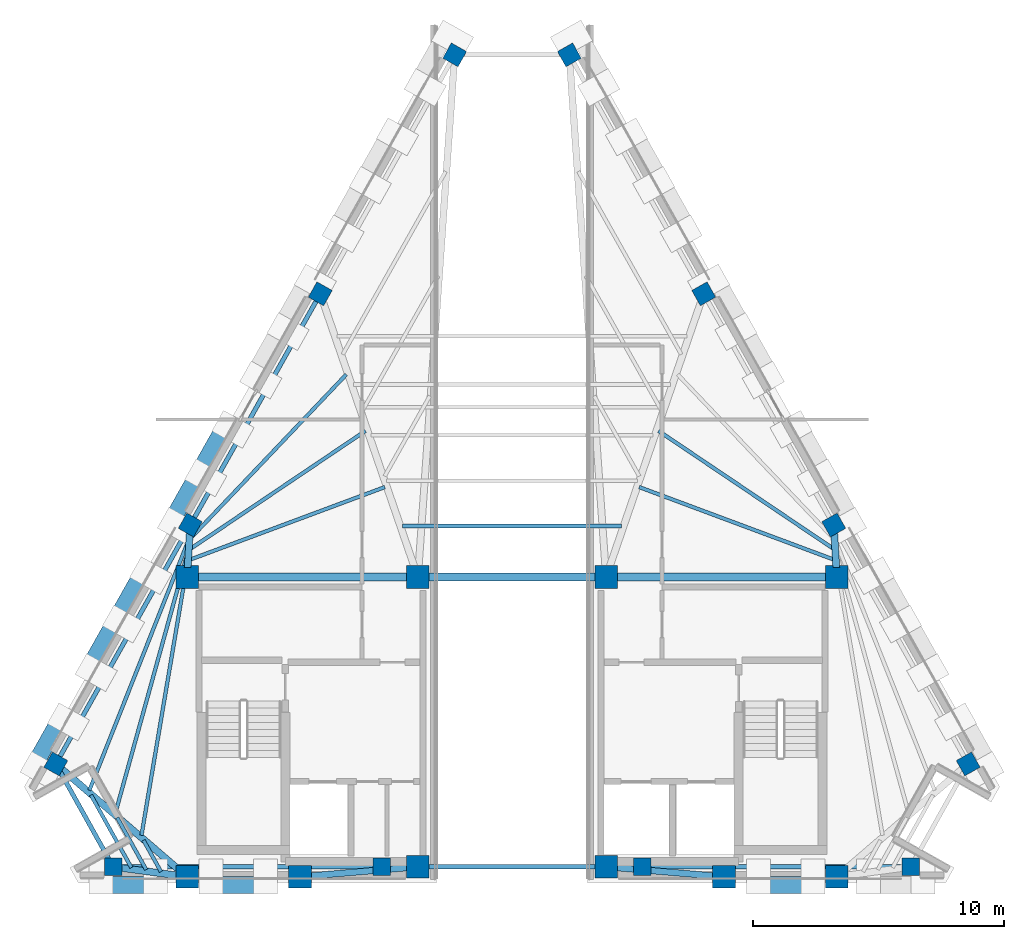
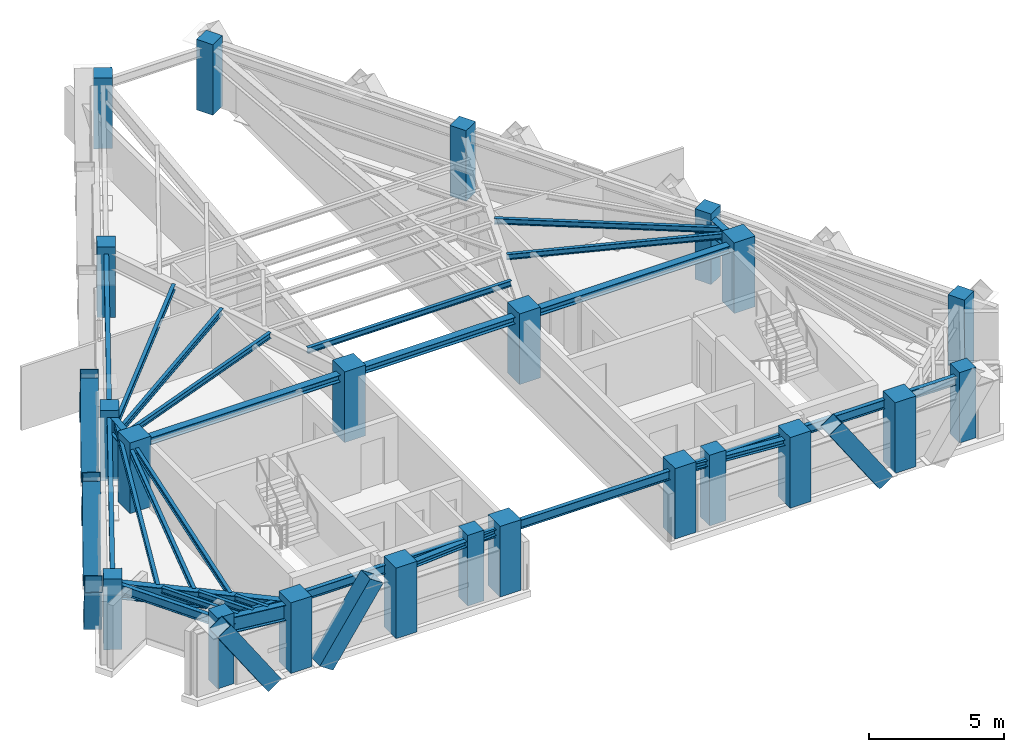
# One storey, part 1 of 6: 27 beams, 22 columns, 8 members.
"""IFC4 building model written with IfcOpenShell, lengths in metres."""

from ifc_helpers import new_model, si_unit, direction, frame, origin, origin_2d, place, context, subcontext, project, spatial, rectangle, hollow_rectangle, i_section, extrude, material, material_profile, profile_set, type_object, element, save


model = new_model("IFC4")

# Units and contexts
model_context = context("Model", 3, precision=1e-05, world=origin(), true_north=direction((0.0, 1.0)))
body_context = subcontext(model_context, "Body", "Model", "MODEL_VIEW")
ifc_project = project(units=[si_unit("LENGTHUNIT", "METRE"), si_unit("AREAUNIT", "SQUARE_METRE"), si_unit("VOLUMEUNIT", "CUBIC_METRE"), si_unit("PLANEANGLEUNIT", "RADIAN"), si_unit("MASSUNIT", "GRAM", prefix="KILO")], contexts=[model_context])

# Site, building, storey
site_placement = place(None, origin())
site = spatial("IfcSite", under=ifc_project, at=site_placement, CompositionType="ELEMENT")
building_placement = place(site_placement, origin())
building = spatial("IfcBuilding", under=site, at=building_placement, Name="Quenlor Broadcast Tower", CompositionType="ELEMENT")
storey_placement = place(building_placement, frame((0.0, 0.0, 277.300048828125)))
storey = spatial("IfcBuildingStorey", under=building, at=storey_placement, Name="L77", CompositionType="ELEMENT", Elevation=277.300048828125)

# Columns
ifc_material_1 = material(Name="Concrete C50/60", Category="concrete")
ifc_material_profile_1 = material_profile(ifc_material_1, rectangle(XDim=0.89990234375, YDim=0.89990234375, at=origin_2d()))
ifc_profile_set_1 = profile_set([ifc_material_profile_1], Name="Concrete C50/60 RC900x900")
column_type_1 = type_object("IfcColumnType", Name="Core Corner Column Upper Concrete C50/60 900", PredefinedType="COLUMN", material=ifc_profile_set_1)
for number, where, z_axis, x_axis, name in (
    (1, (-12.949951171875, -16.75, 0.0), (0.0, 0.0, 1.0), (1.0, 0.0, 0.0), "L77 Core Column CC1"),
    (2, (-8.449951171875, -16.75, 0.0), (0.0, 0.0, 1.0), (1.0, 0.0, 0.0), "L77 Core Column CC2"),
    (3, (-3.75, -16.35009765625, 0.0), (0.0, 0.0, 1.0), (1.0, 0.0, 0.0), "L77 Core Column CC3"),
    (4, (3.75, -16.35009765625, 0.0), (0.0, 0.0, 1.0), (1.0, 0.0, 0.0), "L77 Core Column CC4"),
    (5, (8.449951171875, -16.75, 0.0), (0.0, 0.0, 1.0), (1.0, 0.0, 0.0), "L77 Core Column CC5"),
    (6, (12.949951171875, -16.75, 0.0), (0.0, 0.0, 1.0), (1.0, 0.0, 0.0), "L77 Core Column CC6"),
    (7, (-12.949951171875, -4.800048828125, 0.0), (0.0, 0.0, 1.0), (1.0, 0.0, 0.0), "L77 Core Column CC7"),
    (8, (-3.75, -4.800048828125, 0.0), (0.0, 0.0, 1.0), (1.0, 0.0, 0.0), "L77 Core Column CC8"),
    (9, (3.75, -4.800048828125, 0.0), (0.0, 0.0, 1.0), (1.0, 0.0, 0.0), "L77 Core Column CC9"),
    (10, (12.949951171875, -4.800048828125, 0.0), (0.0, 0.0, 1.0), (1.0, 0.0, 0.0), "L77 Core Column CC10"),
):
    element("IfcColumn", number, at=place(storey_placement, frame(where, z_axis=z_axis, x_axis=x_axis)), inside=storey, type_object=column_type_1, Name=name, PredefinedType="COLUMN", context=body_context, shape_type="SweptSolid", body=[
        extrude(rectangle(XDim=0.89990234375, YDim=0.89990234375, at=origin_2d()), origin(), (0.0, 0.0, 1.0), 3.199951171875),
    ])
ifc_material_2 = material(Name="Concrete C40/50", Category="concrete")
ifc_material_profile_2 = material_profile(ifc_material_2, rectangle(XDim=0.699951171875, YDim=0.699951171875, at=origin_2d()))
ifc_profile_set_2 = profile_set([ifc_material_profile_2], Name="Concrete C40/50 RC700x700")
column_type_2 = type_object("IfcColumnType", Name="Crown Frame Column Concrete C40/50 700", PredefinedType="COLUMN", material=ifc_profile_set_2)
for number, where, z_axis, x_axis, name in (
    (11, (-15.897705078125, -16.35009765625, 0.0), (0.0, 0.0, 1.0), (0.0, 1.0, 0.0), "L77 Perimeter Column S1"),
    (12, (-5.18408203125, -16.35009765625, 0.0), (0.0, 0.0, 1.0), (0.0, 1.0, 0.0), "L77 Perimeter Column S2"),
    (13, (5.18408203125, -16.35009765625, 0.0), (0.0, 0.0, 1.0), (0.0, 1.0, 0.0), "L77 Perimeter Column S3"),
    (14, (15.897705078125, -16.35009765625, 0.0), (0.0, 0.0, 1.0), (0.0, 1.0, 0.0), "L77 Perimeter Column S4"),
    (15, (18.182373046875, -12.25, 0.0), (0.0, 0.0, 1.0), (0.871575139605, 0.490261946333, 0.0), "L77 Perimeter Column NE1"),
    (16, (12.825439453125, -2.726806640625, 0.0), (0.0, 0.0, 1.0), (0.871575139605, 0.490261946333, 0.0), "L77 Perimeter Column NE2"),
    (17, (7.6416015625, 6.4892578125, 0.0), (0.0, 0.0, 1.0), (0.871575139605, 0.490261946333, 0.0), "L77 Perimeter Column NE3"),
    (18, (2.28466796875, 16.012451171875, 0.0), (0.0, 0.0, 1.0), (0.871575139605, 0.490261946333, 0.0), "L77 Perimeter Column NE4"),
    (19, (-2.28466796875, 16.012451171875, 0.0), (0.0, 0.0, 1.0), (-0.871575139605, 0.490261946333, 0.0), "L77 Perimeter Column NW1"),
    (20, (-7.6416015625, 6.4892578125, 0.0), (0.0, 0.0, 1.0), (-0.871575139605, 0.490261946333, 0.0), "L77 Perimeter Column NW2"),
    (21, (-12.825439453125, -2.726806640625, 0.0), (0.0, 0.0, 1.0), (-0.871575139605, 0.490261946333, 0.0), "L77 Perimeter Column NW3"),
    (22, (-18.182373046875, -12.25, 0.0), (0.0, 0.0, 1.0), (-0.871575139605, 0.490261946333, 0.0), "L77 Perimeter Column NW4"),
):
    element("IfcColumn", number, at=place(storey_placement, frame(where, z_axis=z_axis, x_axis=x_axis)), inside=storey, type_object=column_type_2, Name=name, PredefinedType="COLUMN", context=body_context, shape_type="SweptSolid", body=[
        extrude(rectangle(XDim=0.699951171875, YDim=0.699951171875, at=origin_2d()), origin(), (0.0, 0.0, 1.0), 3.199951171875),
    ])

# Beams
ifc_material_3 = material(Name="Steel S355", Category="steel")
ifc_material_profile_3 = material_profile(ifc_material_3, i_section(OverallWidth=0.304931640625, OverallDepth=0.30810546875, WebThickness=0.010009765625, FlangeThickness=0.015380859375, FilletRadius=0.0166015625, at=origin_2d()))
ifc_profile_set_3 = profile_set([ifc_material_profile_3], Name="Steel S355 310UC96.8")
beam_type_1 = type_object("IfcBeamType", Name="Core Header Beam Steel S355 310UC96.8", PredefinedType="BEAM", material=ifc_profile_set_3)
beam_1_placement = place(storey_placement, frame((-3.389892578125, -4.800048828125, 2.725830078125), z_axis=(1.0, 0.0, 0.0), x_axis=(0.0, 1.0, 0.0)))
element("IfcBeam", 23, at=beam_1_placement, inside=storey, type_object=beam_type_1, Name="L77 Core Header Beam 2", PredefinedType="BEAM", context=body_context, shape_type="SweptSolid", body=[
    extrude(i_section(OverallWidth=0.304931640625, OverallDepth=0.30810546875, WebThickness=0.010009765625, FlangeThickness=0.015380859375, FilletRadius=0.0166015625, at=origin_2d()), origin(), (0.0, 0.0, 1.0), 6.77978515625),
])
ifc_material_4 = material(Name="Steel S355", Category="steel")
ifc_material_profile_4 = material_profile(ifc_material_4, i_section(OverallWidth=0.25390625, OverallDepth=0.25390625, WebThickness=0.008544921875, FlangeThickness=0.01416015625, FilletRadius=0.013916015625, at=origin_2d()))
ifc_profile_set_4 = profile_set([ifc_material_profile_4], Name="Steel S355 250UC72.9")
beam_type_2 = type_object("IfcBeamType", Name="Core Opening Lintel Beam Steel S355 250UC72.9", PredefinedType="LINTEL", material=ifc_profile_set_4)
for number, where, z_axis, x_axis, name in (
    (24, (-8.09130859375, -16.719482421875, 2.7529296875), (0.996399763903, 0.084779186679, 0.0), (-0.084779186679, 0.996399763903, 0.0), "L77 Core Opening Lintel Beam 4"),
    (25, (4.108642578125, -16.380615234375, 2.7529296875), (0.996399763903, -0.084779186679, 0.0), (0.084779186679, 0.996399763903, 0.0), "L77 Core Opening Lintel Beam 5"),
):
    element("IfcBeam", number, at=place(storey_placement, frame(where, z_axis=z_axis, x_axis=x_axis)), inside=storey, type_object=beam_type_2, Name=name, PredefinedType="LINTEL", context=body_context, shape_type="SweptSolid", body=[
        extrude(i_section(OverallWidth=0.25390625, OverallDepth=0.25390625, WebThickness=0.008544921875, FlangeThickness=0.01416015625, FilletRadius=0.013916015625, at=origin_2d()), origin(), (0.0, 0.0, 1.0), 3.9970703125),
    ])
ifc_material_5 = material(Name="Steel S355", Category="steel")
ifc_material_profile_5 = material_profile(ifc_material_5, i_section(OverallWidth=0.306884765625, OverallDepth=0.314697265625, WebThickness=0.011962890625, FlangeThickness=0.018798828125, FilletRadius=0.0166015625, at=origin_2d()))
ifc_profile_set_5 = profile_set([ifc_material_profile_5], Name="Steel S355 310UC118")
beam_type_3 = type_object("IfcBeamType", Name="Core Tie Beam Steel S355 310UC118", PredefinedType="BEAM", material=ifc_profile_set_5)
for number, where, z_axis, x_axis, name in (
    (26, (-12.590087890625, -4.800048828125, 2.72265625), (1.0, 0.0, 0.0), (0.0, 1.0, 0.0), "L77 Core Tie Beam 1"),
    (27, (4.110107421875, -4.800048828125, 2.72265625), (1.0, 0.0, 0.0), (0.0, 1.0, 0.0), "L77 Core Tie Beam 3"),
):
    element("IfcBeam", number, at=place(storey_placement, frame(where, z_axis=z_axis, x_axis=x_axis)), inside=storey, type_object=beam_type_3, Name=name, PredefinedType="BEAM", context=body_context, shape_type="SweptSolid", body=[
        extrude(i_section(OverallWidth=0.306884765625, OverallDepth=0.314697265625, WebThickness=0.011962890625, FlangeThickness=0.018798828125, FilletRadius=0.0166015625, at=origin_2d()), origin(), (0.0, 0.0, 1.0), 8.47998046875),
    ])
ifc_material_6 = material(Name="Steel S355", Category="steel")
ifc_material_profile_6 = material_profile(ifc_material_6, i_section(OverallWidth=0.14599609375, OverallDepth=0.256103515625, WebThickness=0.00634765625, FlangeThickness=0.010986328125, FilletRadius=0.0087890625, at=origin_2d()))
ifc_profile_set_6 = profile_set([ifc_material_profile_6], Name="Steel S355 250UB37.3")
beam_type_4 = type_object("IfcBeamType", Name="Crown Deck Joist Steel S355 250UB37.3", PredefinedType="JOIST", material=ifc_profile_set_6)
beam_2_placement = place(storey_placement, frame((-4.37060546875, -2.767822265625, 2.751953125), z_axis=(1.0, 0.0, 0.0), x_axis=(0.0, 1.0, 0.0)))
element("IfcBeam", 28, at=beam_2_placement, inside=storey, type_object=beam_type_4, Name="L77 Secondary Composite Joist 1", PredefinedType="JOIST", context=body_context, shape_type="SweptSolid", body=[
    extrude(i_section(OverallWidth=0.14599609375, OverallDepth=0.256103515625, WebThickness=0.00634765625, FlangeThickness=0.010986328125, FilletRadius=0.0087890625, at=origin_2d()), origin(), (0.0, 0.0, 1.0), 8.7412109375),
])
beam_3_placement = place(storey_placement, frame((-12.835205078125, -4.108642578125, 2.751953125), z_axis=(0.937062080226, 0.349162795559, 0.0), x_axis=(-0.349162795559, 0.937062080226, 0.0)))
element("IfcBeam", 29, at=beam_3_placement, inside=storey, type_object=beam_type_4, Name="L77 Secondary Composite Joist 7", PredefinedType="JOIST", context=body_context, shape_type="SweptSolid", body=[
    extrude(i_section(OverallWidth=0.14599609375, OverallDepth=0.256103515625, WebThickness=0.00634765625, FlangeThickness=0.010986328125, FilletRadius=0.0087890625, at=origin_2d()), origin(), (0.0, 0.0, 1.0), 8.286376953125),
])
beam_4_placement = place(storey_placement, frame((-12.81884765625, -3.67724609375, 2.751953125), z_axis=(0.829286301475, 0.558823970661, 0.0), x_axis=(-0.558823970661, 0.829286301475, 0.0)))
element("IfcBeam", 30, at=beam_4_placement, inside=storey, type_object=beam_type_4, Name="L77 Secondary Composite Joist 8", PredefinedType="JOIST", context=body_context, shape_type="SweptSolid", body=[
    extrude(i_section(OverallWidth=0.14599609375, OverallDepth=0.256103515625, WebThickness=0.00634765625, FlangeThickness=0.010986328125, FilletRadius=0.0087890625, at=origin_2d()), origin(), (0.0, 0.0, 1.0), 8.415771484375),
])
beam_5_placement = place(storey_placement, frame((-12.80517578125, -3.249267578125, 2.751953125), z_axis=(0.689023306429, 0.724739182877, 0.0), x_axis=(-0.724739182877, 0.689023306429, 0.0)))
element("IfcBeam", 31, at=beam_5_placement, inside=storey, type_object=beam_type_4, Name="L77 Secondary Composite Joist 9", PredefinedType="JOIST", context=body_context, shape_type="SweptSolid", body=[
    extrude(i_section(OverallWidth=0.14599609375, OverallDepth=0.256103515625, WebThickness=0.00634765625, FlangeThickness=0.010986328125, FilletRadius=0.0087890625, at=origin_2d()), origin(), (0.0, 0.0, 1.0), 8.99560546875),
])
beam_6_placement = place(storey_placement, frame((12.835205078125, -4.108642578125, 2.751953125), z_axis=(-0.937062080226, 0.349162795559, 0.0), x_axis=(-0.349162795559, -0.937062080226, 0.0)))
element("IfcBeam", 32, at=beam_6_placement, inside=storey, type_object=beam_type_4, Name="L77 Secondary Composite Joist 10", PredefinedType="JOIST", context=body_context, shape_type="SweptSolid", body=[
    extrude(i_section(OverallWidth=0.14599609375, OverallDepth=0.256103515625, WebThickness=0.00634765625, FlangeThickness=0.010986328125, FilletRadius=0.0087890625, at=origin_2d()), origin(), (0.0, 0.0, 1.0), 8.286376953125),
])
beam_7_placement = place(storey_placement, frame((12.81884765625, -3.67724609375, 2.751953125), z_axis=(-0.829286301475, 0.558823970661, 0.0), x_axis=(-0.558823970661, -0.829286301475, 0.0)))
element("IfcBeam", 33, at=beam_7_placement, inside=storey, type_object=beam_type_4, Name="L77 Secondary Composite Joist 11", PredefinedType="JOIST", context=body_context, shape_type="SweptSolid", body=[
    extrude(i_section(OverallWidth=0.14599609375, OverallDepth=0.256103515625, WebThickness=0.00634765625, FlangeThickness=0.010986328125, FilletRadius=0.0087890625, at=origin_2d()), origin(), (0.0, 0.0, 1.0), 8.415771484375),
])
beam_8_placement = place(storey_placement, frame((-14.76806640625, -15.09619140625, 2.751953125), z_axis=(0.166553293246, 0.986032454085, 0.0), x_axis=(-0.986032454085, 0.166553293246, 0.0)))
element("IfcBeam", 34, at=beam_8_placement, inside=storey, type_object=beam_type_4, Name="L77 Secondary Composite Joist 13", PredefinedType="JOIST", context=body_context, shape_type="SweptSolid", body=[
    extrude(i_section(OverallWidth=0.14599609375, OverallDepth=0.256103515625, WebThickness=0.00634765625, FlangeThickness=0.010986328125, FilletRadius=0.0087890625, at=origin_2d()), origin(), (0.0, 0.0, 1.0), 11.097900390625),
])
beam_9_placement = place(storey_placement, frame((-15.806396484375, -14.197998046875, 2.751953125), z_axis=(0.26744552871, 0.96357298072, 0.0), x_axis=(-0.96357298072, 0.26744552871, 0.0)))
element("IfcBeam", 35, at=beam_9_placement, inside=storey, type_object=beam_type_4, Name="L77 Secondary Composite Joist 14", PredefinedType="JOIST", context=body_context, shape_type="SweptSolid", body=[
    extrude(i_section(OverallWidth=0.14599609375, OverallDepth=0.256103515625, WebThickness=0.00634765625, FlangeThickness=0.010986328125, FilletRadius=0.0087890625, at=origin_2d()), origin(), (0.0, 0.0, 1.0), 10.856689453125),
])
beam_10_placement = place(storey_placement, frame((-16.8447265625, -13.300537109375, 2.751953125), z_axis=(0.368680258049, 0.929556274426, 0.0), x_axis=(-0.929556274426, 0.368680258049, 0.0)))
element("IfcBeam", 36, at=beam_10_placement, inside=storey, type_object=beam_type_4, Name="L77 Secondary Composite Joist 15", PredefinedType="JOIST", context=body_context, shape_type="SweptSolid", body=[
    extrude(i_section(OverallWidth=0.14599609375, OverallDepth=0.256103515625, WebThickness=0.00634765625, FlangeThickness=0.010986328125, FilletRadius=0.0087890625, at=origin_2d()), origin(), (0.0, 0.0, 1.0), 10.737548828125),
])
beam_11_placement = place(storey_placement, frame((-13.9912109375, -16.544189453125, 2.751953125), z_axis=(-0.486624304452, 0.873611347406, 0.0), x_axis=(-0.873611347406, -0.486624304452, 0.0)))
element("IfcBeam", 37, at=beam_11_placement, inside=storey, type_object=beam_type_4, Name="L77 Secondary Composite Joist 19", PredefinedType="JOIST", context=body_context, shape_type="SweptSolid", body=[
    extrude(i_section(OverallWidth=0.14599609375, OverallDepth=0.256103515625, WebThickness=0.00634765625, FlangeThickness=0.010986328125, FilletRadius=0.0087890625, at=origin_2d()), origin(), (0.0, 0.0, 1.0), 1.435791015625),
])
beam_12_placement = place(storey_placement, frame((-14.58056640625, -16.464111328125, 2.751953125), z_axis=(-0.486820963037, 0.873501774439, 0.0), x_axis=(-0.873501774439, -0.486820963037, 0.0)))
element("IfcBeam", 38, at=beam_12_placement, inside=storey, type_object=beam_type_4, Name="L77 Secondary Composite Joist 20", PredefinedType="JOIST", context=body_context, shape_type="SweptSolid", body=[
    extrude(i_section(OverallWidth=0.14599609375, OverallDepth=0.256103515625, WebThickness=0.00634765625, FlangeThickness=0.010986328125, FilletRadius=0.0087890625, at=origin_2d()), origin(), (0.0, 0.0, 1.0), 2.37451171875),
])
beam_13_placement = place(storey_placement, frame((-15.170166015625, -16.384033203125, 2.751953125), z_axis=(-0.486762404011, 0.873534408046, 0.0), x_axis=(-0.873534408046, -0.486762404011, 0.0)))
element("IfcBeam", 39, at=beam_13_placement, inside=storey, type_object=beam_type_4, Name="L77 Secondary Composite Joist 21", PredefinedType="JOIST", context=body_context, shape_type="SweptSolid", body=[
    extrude(i_section(OverallWidth=0.14599609375, OverallDepth=0.256103515625, WebThickness=0.00634765625, FlangeThickness=0.010986328125, FilletRadius=0.0087890625, at=origin_2d()), origin(), (0.0, 0.0, 1.0), 3.313232421875),
])
ifc_material_7 = material(Name="Steel S355", Category="steel")
ifc_material_profile_7 = material_profile(ifc_material_7, i_section(OverallWidth=0.27490234375, OverallDepth=0.716064453125, WebThickness=0.013916015625, FlangeThickness=0.02490234375, FilletRadius=0.013916015625, at=origin_2d()))
ifc_profile_set_7 = profile_set([ifc_material_profile_7], Name="Steel S355 700WB173")
beam_type_5 = type_object("IfcBeamType", Name="Crown Plant Ring Girder Steel S355 700WB173", PredefinedType="BEAM", material=ifc_profile_set_7)
beam_14_placement = place(storey_placement, frame((-15.59033203125, -16.3916015625, 2.52197265625), z_axis=(0.990908681621, -0.134536183561, 0.0), x_axis=(0.134536183561, 0.990908681621, 0.0)))
element("IfcBeam", 40, at=beam_14_placement, inside=storey, type_object=beam_type_5, Name="L77 Primary Radial Beam S1", PredefinedType="BEAM", context=body_context, shape_type="SweptSolid", body=[
    extrude(i_section(OverallWidth=0.27490234375, OverallDepth=0.716064453125, WebThickness=0.013916015625, FlangeThickness=0.02490234375, FilletRadius=0.013916015625, at=origin_2d()), origin(), (0.0, 0.0, 1.0), 2.28466796875),
])
for number, where, z_axis, x_axis, name in (
    (41, (12.843994140625, -3.0361328125, 2.52197265625), (0.060022076178, -0.998197049871, 0.0), (0.998197049871, 0.060022076178, 0.0), "L77 Primary Radial Beam NE2"),
    (42, (-12.843994140625, -3.0361328125, 2.52197265625), (-0.060022076178, -0.998197049871, 0.0), (0.998197049871, -0.060022076178, 0.0), "L77 Primary Radial Beam NW3"),
):
    element("IfcBeam", number, at=place(storey_placement, frame(where, z_axis=z_axis, x_axis=x_axis)), inside=storey, type_object=beam_type_5, Name=name, PredefinedType="BEAM", context=body_context, shape_type="SweptSolid", body=[
        extrude(i_section(OverallWidth=0.27490234375, OverallDepth=0.716064453125, WebThickness=0.013916015625, FlangeThickness=0.02490234375, FilletRadius=0.013916015625, at=origin_2d()), origin(), (0.0, 0.0, 1.0), 1.386962890625),
    ])
beam_15_placement = place(storey_placement, frame((-17.947265625, -12.451904296875, 2.52197265625), z_axis=(0.758156826123, -0.652072255968, 0.0), x_axis=(0.652072255968, 0.758156826123, 0.0)))
element("IfcBeam", 43, at=beam_15_placement, inside=storey, type_object=beam_type_5, Name="L77 Primary Radial Beam NW4", PredefinedType="BEAM", context=body_context, shape_type="SweptSolid", body=[
    extrude(i_section(OverallWidth=0.27490234375, OverallDepth=0.716064453125, WebThickness=0.013916015625, FlangeThickness=0.02490234375, FilletRadius=0.013916015625, at=origin_2d()), origin(), (0.0, 0.0, 1.0), 6.21142578125),
])

# Members
ifc_material_8 = material(Name="Steel S355", Category="steel")
ifc_material_profile_8 = material_profile(ifc_material_8, hollow_rectangle(XDim=0.679931640625, YDim=0.679931640625, WallThickness=0.02001953125, at=origin_2d()))
ifc_profile_set_8 = profile_set([ifc_material_profile_8], Name="Steel S355 RHS680x680x20")
member_type = type_object("IfcMemberType", Name="Perimeter Diagonal Lattice Brace Z5-Crown Steel S355 RHS680x20", PredefinedType="BRACE", material=ifc_profile_set_8)
member_1_placement = place(storey_placement, frame((11.998779296875, -17.070068359375, -0.1201171875), z_axis=(-0.559071894658, 0.0, 0.829119181182), x_axis=(0.0, -1.0, 0.0)))
element("IfcMember", 44, at=member_1_placement, inside=storey, type_object=member_type, Name="L77 Perimeter Diamond Lattice S-C1S", PredefinedType="BRACE", context=body_context, shape_type="SweptSolid", body=[
    extrude(hollow_rectangle(XDim=0.679931640625, YDim=0.679931640625, WallThickness=0.02001953125, at=origin_2d()), origin(), (0.0, 0.0, 1.0), 3.859375),
])
member_2_placement = place(storey_placement, frame((-14.208984375, -17.070068359375, -0.1201171875), z_axis=(-0.559115378164, 0.0, 0.829089858761), x_axis=(0.0, -1.0, 0.0)))
element("IfcMember", 45, at=member_2_placement, inside=storey, type_object=member_type, Name="L77 Perimeter Diamond Lattice S-C5S", PredefinedType="BRACE", context=body_context, shape_type="SweptSolid", body=[
    extrude(hollow_rectangle(XDim=0.679931640625, YDim=0.679931640625, WallThickness=0.02001953125, at=origin_2d()), origin(), (0.0, 0.0, 1.0), 3.859619140625),
])
member_3_placement = place(storey_placement, frame((-11.998779296875, -17.070068359375, -0.1201171875), z_axis=(0.559071894658, 0.0, 0.829119181182), x_axis=(0.0, 1.0, 0.0)))
element("IfcMember", 46, at=member_3_placement, inside=storey, type_object=member_type, Name="L77 Perimeter Diamond Lattice S-C5B", PredefinedType="BRACE", context=body_context, shape_type="SweptSolid", body=[
    extrude(hollow_rectangle(XDim=0.679931640625, YDim=0.679931640625, WallThickness=0.02001953125, at=origin_2d()), origin(), (0.0, 0.0, 1.0), 3.859375),
])
member_4_placement = place(storey_placement, frame((-16.86669921875, -8.442626953125, -0.1201171875), z_axis=(0.277962400982, 0.494211241538, 0.823706350818), x_axis=(-0.871599215793, 0.490219141843, 0.0)))
element("IfcMember", 47, at=member_4_placement, inside=storey, type_object=member_type, Name="L77 Perimeter Diamond Lattice NW-C1S", PredefinedType="BRACE", context=body_context, shape_type="SweptSolid", body=[
    extrude(hollow_rectangle(XDim=0.679931640625, YDim=0.679931640625, WallThickness=0.02001953125, at=origin_2d()), origin(), (0.0, 0.0, 1.0), 3.884765625),
])
for number, where, z_axis, x_axis, name in (
    (48, (-17.97314453125, -10.409423828125, -0.1201171875), (-0.278011753881, -0.494250100424, 0.823666378417), (0.871578496623, -0.490255978266, 0.0), "L77 Perimeter Diamond Lattice NW-C1B"),
    (49, (-13.58740234375, -2.612548828125, -0.1201171875), (0.278011753881, 0.494250100424, 0.823666378417), (-0.871578496623, 0.490255978266, 0.0), "L77 Perimeter Diamond Lattice NW-C2S"),
    (50, (-14.693603515625, -4.5791015625, -0.1201171875), (-0.278011753881, -0.494250100424, 0.823666378417), (0.871578496623, -0.490255978266, 0.0), "L77 Perimeter Diamond Lattice NW-C2B"),
    (51, (-11.4140625, 1.2509765625, -0.1201171875), (-0.278011753881, -0.494250100424, 0.823666378417), (0.871578496623, -0.490255978266, 0.0), "L77 Perimeter Diamond Lattice NW-C3B"),
):
    element("IfcMember", number, at=place(storey_placement, frame(where, z_axis=z_axis, x_axis=x_axis)), inside=storey, type_object=member_type, Name=name, PredefinedType="BRACE", context=body_context, shape_type="SweptSolid", body=[
        extrude(hollow_rectangle(XDim=0.679931640625, YDim=0.679931640625, WallThickness=0.02001953125, at=origin_2d()), origin(), (0.0, 0.0, 1.0), 3.885009765625),
    ])

# Beams
ifc_material_9 = material(Name="Steel S355", Category="steel")
ifc_material_profile_9 = material_profile(ifc_material_9, i_section(OverallWidth=0.177978515625, OverallDepth=0.406494140625, WebThickness=0.0078125, FlangeThickness=0.0126953125, FilletRadius=0.011474609375, at=origin_2d()))
ifc_profile_set_9 = profile_set([ifc_material_profile_9], Name="Steel S355 410UB59.7")
beam_type_6 = type_object("IfcBeamType", Name="Perimeter Spandrel Beam Z5 Steel S355 410UB59.7", PredefinedType="SPANDREL", material=ifc_profile_set_9)
beam_16_placement = place(storey_placement, frame((-15.587646484375, -16.35009765625, 2.6767578125), z_axis=(1.0, 0.0, 0.0), x_axis=(0.0, 1.0, 0.0)))
element("IfcBeam", 52, at=beam_16_placement, inside=storey, type_object=beam_type_6, Name="L77 Spandrel Beam S1-S2", PredefinedType="SPANDREL", context=body_context, shape_type="SweptSolid", body=[
    extrude(i_section(OverallWidth=0.177978515625, OverallDepth=0.406494140625, WebThickness=0.0078125, FlangeThickness=0.0126953125, FilletRadius=0.011474609375, at=origin_2d()), origin(), (0.0, 0.0, 1.0), 10.09375),
])
beam_17_placement = place(storey_placement, frame((-4.8740234375, -16.35009765625, 2.6767578125), z_axis=(1.0, 0.0, 0.0), x_axis=(0.0, 1.0, 0.0)))
element("IfcBeam", 53, at=beam_17_placement, inside=storey, type_object=beam_type_6, Name="L77 Spandrel Beam S2-S3", PredefinedType="SPANDREL", context=body_context, shape_type="SweptSolid", body=[
    extrude(i_section(OverallWidth=0.177978515625, OverallDepth=0.406494140625, WebThickness=0.0078125, FlangeThickness=0.0126953125, FilletRadius=0.011474609375, at=origin_2d()), origin(), (0.0, 0.0, 1.0), 9.748046875),
])
beam_18_placement = place(storey_placement, frame((5.493896484375, -16.35009765625, 2.6767578125), z_axis=(1.0, 0.0, 0.0), x_axis=(0.0, 1.0, 0.0)))
element("IfcBeam", 54, at=beam_18_placement, inside=storey, type_object=beam_type_6, Name="L77 Spandrel Beam S3-S4", PredefinedType="SPANDREL", context=body_context, shape_type="SweptSolid", body=[
    extrude(i_section(OverallWidth=0.177978515625, OverallDepth=0.406494140625, WebThickness=0.0078125, FlangeThickness=0.0126953125, FilletRadius=0.011474609375, at=origin_2d()), origin(), (0.0, 0.0, 1.0), 10.09375),
])
beam_19_placement = place(storey_placement, frame((-7.79345703125, 6.218994140625, 2.6767578125), z_axis=(-0.490271720009, -0.87156964183, 0.0), x_axis=(0.87156964183, -0.490271720009, 0.0)))
element("IfcBeam", 55, at=beam_19_placement, inside=storey, type_object=beam_type_6, Name="L77 Spandrel Beam NW2-NW3", PredefinedType="SPANDREL", context=body_context, shape_type="SweptSolid", body=[
    extrude(i_section(OverallWidth=0.177978515625, OverallDepth=0.406494140625, WebThickness=0.0078125, FlangeThickness=0.0126953125, FilletRadius=0.011474609375, at=origin_2d()), origin(), (0.0, 0.0, 1.0), 9.953857421875),
])
beam_20_placement = place(storey_placement, frame((-12.9775390625, -2.996826171875, 2.6767578125), z_axis=(-0.490249992991, -0.871581863265, 0.0), x_axis=(0.871581863265, -0.490249992991, 0.0)))
element("IfcBeam", 56, at=beam_20_placement, inside=storey, type_object=beam_type_6, Name="L77 Spandrel Beam NW3-NW4", PredefinedType="SPANDREL", context=body_context, shape_type="SweptSolid", body=[
    extrude(i_section(OverallWidth=0.177978515625, OverallDepth=0.406494140625, WebThickness=0.0078125, FlangeThickness=0.0126953125, FilletRadius=0.011474609375, at=origin_2d()), origin(), (0.0, 0.0, 1.0), 10.306396484375),
])
beam_21_placement = place(storey_placement, frame((-18.031494140625, -12.520751953125, 2.6767578125), z_axis=(0.486777294572, -0.873526110365, 0.0), x_axis=(0.873526110365, 0.486777294572, 0.0)))
element("IfcBeam", 57, at=beam_21_placement, inside=storey, type_object=beam_type_6, Name="L77 Spandrel Beam NW4-S1", PredefinedType="SPANDREL", context=body_context, shape_type="SweptSolid", body=[
    extrude(i_section(OverallWidth=0.177978515625, OverallDepth=0.406494140625, WebThickness=0.0078125, FlangeThickness=0.0126953125, FilletRadius=0.011474609375, at=origin_2d()), origin(), (0.0, 0.0, 1.0), 4.073486328125),
])

save(model, "model.ifc")
